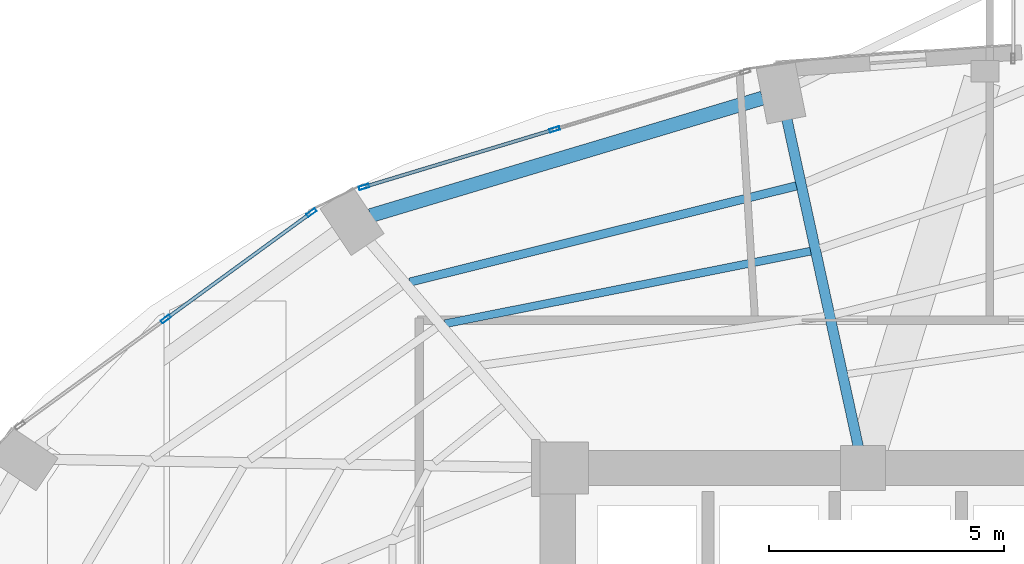
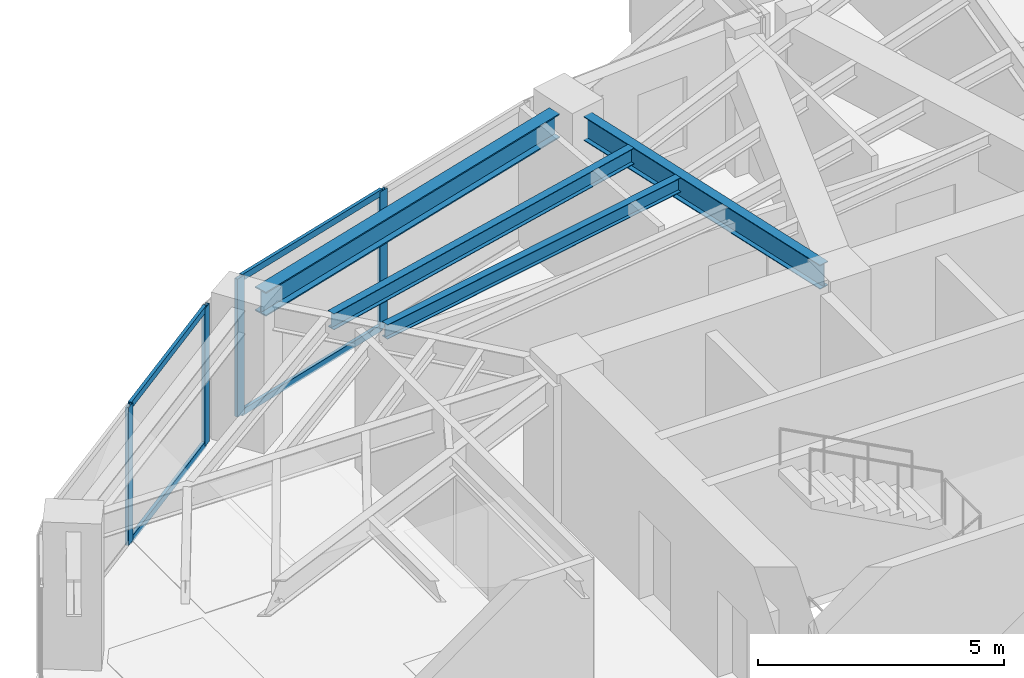
# One storey, part 14 of 24: 8 members, 4 beams, 2 elements without a shape of their own.
"""IFC4 building model written with IfcOpenShell, lengths in metres."""

import ifcopenshell
import ifcopenshell.guid

model = None  # the IFC model being written
_history = None  # IfcOwnerHistory: only IFC2X3 demands one
_inside = {}  # id of a spatial element -> (the spatial element, [elements in it])
_under = {}  # id of a project, library or spatial element -> (it, [spatial elements below it])
_declared = {}  # id of a project -> (the project, [libraries it declares])
_typed = {}  # id of a type object -> (the type object, [elements of that type])
_made_of = {}  # id of a material, layer set ... -> (it, [elements and type objects made of it])


def new_model(schema):
    """Start an empty IFC model of exactly this schema.

    Asked for "IFC4X3", IfcOpenShell would pick the latest addendum, in which some entities
    have other attributes; the version numbers below select the first issue.
    IFC2X3 requires an IfcOwnerHistory on every rooted entity: one is made here for all.
    """
    global model, _history
    if schema == "IFC4X3":
        model = ifcopenshell.file(schema_version=(4, 3, 0, 0))
    else:
        model = ifcopenshell.file(schema=schema)
    _inside.clear()
    _under.clear()
    _declared.clear()
    _typed.clear()
    _made_of.clear()
    _history = None
    if model.schema == "IFC2X3":
        org = make("IfcOrganization", Name="unknown")
        user = make(
            "IfcPersonAndOrganization",
            ThePerson=make("IfcPerson", FamilyName="unknown"),
            TheOrganization=org,
        )
        app = make(
            "IfcApplication",
            ApplicationDeveloper=org,
            Version="unknown",
            ApplicationFullName="unknown",
            ApplicationIdentifier="unknown",
        )
        _history = make(
            "IfcOwnerHistory",
            OwningUser=user,
            OwningApplication=app,
            ChangeAction="ADDED",
            CreationDate=0,
        )
    return model


def make(cls, **values):
    """One entity of the class cls with the attributes given. An attribute that is None is left unset."""
    return model.create_entity(
        cls, **{name: value for name, value in values.items() if value is not None}
    )


def rooted(cls, **values):
    """An entity with a GlobalId (a new one), such as an element, a storey or a relation."""
    return make(cls, GlobalId=ifcopenshell.guid.new(), OwnerHistory=_history, **values)


def si_unit(unit_type, name, prefix=None):
    """IfcSIUnit, for example si_unit("LENGTHUNIT", "METRE", prefix="MILLI")."""
    return make("IfcSIUnit", UnitType=unit_type, Prefix=prefix, Name=name)


def assignment(units):
    """IfcUnitAssignment: the units of a project."""
    return None if units is None else make("IfcUnitAssignment", Units=units)


def point(xyz):
    """IfcCartesianPoint."""
    return None if xyz is None else make("IfcCartesianPoint", Coordinates=xyz)


def direction(xyz):
    """IfcDirection."""
    return None if xyz is None else make("IfcDirection", DirectionRatios=xyz)


def frame(location, z_axis=None, x_axis=None):
    """IfcAxis2Placement3D, a coordinate frame: its origin and axes. An axis left out is left unset."""
    return make(
        "IfcAxis2Placement3D",
        Location=point(location),
        Axis=direction(z_axis),
        RefDirection=direction(x_axis),
    )


def frame_2d(location, x_axis=None):
    """IfcAxis2Placement2D, a coordinate frame in the plane: its origin and x axis."""
    return make(
        "IfcAxis2Placement2D", Location=point(location), RefDirection=direction(x_axis)
    )


def origin():
    """The frame at (0, 0, 0) with its axes left unset."""
    return frame((0.0, 0.0, 0.0))


def origin_2d():
    """The frame at (0, 0) in the plane with its x axis left unset."""
    return frame_2d((0.0, 0.0))


def place(relative_to, where):
    """IfcLocalPlacement: puts the frame where relative to a parent placement (None: the world)."""
    return make(
        "IfcLocalPlacement", PlacementRelTo=relative_to, RelativePlacement=where
    )


def context(
    kind, dimensions, precision=None, world=None, true_north=None, identifier=None
):
    """IfcGeometricRepresentationContext, for example the 3D "Model" context."""
    return make(
        "IfcGeometricRepresentationContext",
        ContextIdentifier=identifier,
        ContextType=kind,
        CoordinateSpaceDimension=dimensions,
        Precision=precision,
        WorldCoordinateSystem=world,
        TrueNorth=true_north,
    )


def subcontext(parent, identifier, kind, view, scale=None):
    """IfcGeometricRepresentationSubContext, for example "Body" below "Model"."""
    return make(
        "IfcGeometricRepresentationSubContext",
        ContextIdentifier=identifier,
        ContextType=kind,
        ParentContext=parent,
        TargetScale=scale,
        TargetView=view,
    )


def project(units=None, contexts=None):
    """IfcProject with its units and contexts."""
    return rooted(
        "IfcProject",
        Name="project",
        RepresentationContexts=contexts,
        UnitsInContext=assignment(units),
    )


def spatial(cls, under=None, at=None, **own):
    """A site, building, storey or space (cls), placed at a placement, below another one or the project."""
    s = rooted(cls, ObjectPlacement=at, **own)
    if under is not None:
        _under.setdefault(under.id(), (under, []))[1].append(s)
    return s


def profile(cls, at=None, kind="AREA", **sizes):
    """A parametric profile (cls). Its sizes go by their IFC names, for example OverallWidth=200.0."""
    return make(cls, ProfileType=kind, Position=at, **sizes)


def hollow_rectangle(**sizes):
    """IfcRectangleHollowProfileDef."""
    return profile("IfcRectangleHollowProfileDef", **sizes)


def i_section(**sizes):
    """IfcIShapeProfileDef."""
    return profile("IfcIShapeProfileDef", **sizes)


def extrude(swept, where, along, depth):
    """IfcExtrudedAreaSolid: the profile swept, set in the frame where, extruded along a direction by depth."""
    return make(
        "IfcExtrudedAreaSolid",
        SweptArea=swept,
        Position=where,
        ExtrudedDirection=direction(along),
        Depth=depth,
    )


def shape(context_of_items, identifier, shape_type, items):
    """IfcShapeRepresentation: the items that make up one representation, for example the "Body"."""
    return make(
        "IfcShapeRepresentation",
        ContextOfItems=context_of_items,
        RepresentationIdentifier=identifier,
        RepresentationType=shape_type,
        Items=items,
    )


def material(Name=None, Category=None):
    """IfcMaterial."""
    return make("IfcMaterial", Name=Name, Category=Category)


def layer(
    of_material, thickness, ventilated=None, Name=None, Category=None, Priority=None
):
    """IfcMaterialLayer: one layer of a wall or slab, of a material (None: an air gap)."""
    return make(
        "IfcMaterialLayer",
        Material=of_material,
        LayerThickness=thickness,
        IsVentilated=ventilated,
        Name=Name,
        Category=Category,
        Priority=Priority,
    )


def layer_set(layers, Name=None):
    """IfcMaterialLayerSet."""
    return make("IfcMaterialLayerSet", MaterialLayers=layers, LayerSetName=Name)


def material_profile(
    of_material, cross_section, Name=None, Category=None, Priority=None
):
    """IfcMaterialProfile: a cross section and its material."""
    return make(
        "IfcMaterialProfile",
        Name=Name,
        Material=of_material,
        Profile=cross_section,
        Priority=Priority,
        Category=Category,
    )


def profile_set(profiles, Name=None, composite=None):
    """IfcMaterialProfileSet."""
    return make(
        "IfcMaterialProfileSet",
        Name=Name,
        MaterialProfiles=profiles,
        CompositeProfile=composite,
    )


def made_of(thing, what):
    """Note that an element or type object is made of a material, layer set ...; save() writes the relation."""
    if what is not None:
        _made_of.setdefault(what.id(), (what, []))[1].append(thing)
    return thing


def type_object(cls, material=None, **own):
    """A type object (cls), such as IfcWallType, which elements share."""
    return made_of(rooted(cls, **own), material)


def element(
    cls,
    number,
    at=None,
    inside=None,
    cuts=None,
    type_object=None,
    material=None,
    context=None,
    identifier="Body",
    shape_type=None,
    held_by="IfcProductDefinitionShape",
    body=None,
    shapes=None,
    **own,
):
    """One element of the class cls, such as IfcWall. Its Tag is "e" and its number.

    at: its placement. inside: the storey or other place that contains it. cuts: it is an
    opening in that element (IfcRelVoidsElement). A single representation is given by context,
    identifier, shape_type and body (its items); several are given by shapes. held_by: the class
    of the entity that holds the representations. save() writes the other relations.
    """
    e = rooted(cls, Tag="e%d" % number, ObjectPlacement=at, **own)
    if body is not None:
        shapes = [shape(context, identifier, shape_type, body)]
    if shapes is not None:
        e.Representation = make(held_by, Representations=shapes)
    if inside is not None:
        _inside.setdefault(inside.id(), (inside, []))[1].append(e)
    if cuts is not None:
        rooted(
            "IfcRelVoidsElement", RelatingBuildingElement=cuts, RelatedOpeningElement=e
        )
    if type_object is not None:
        _typed.setdefault(type_object.id(), (type_object, []))[1].append(e)
    return made_of(e, material)


def aggregate(whole, parts):
    """IfcRelAggregates: a whole, such as a stair, and the parts it consists of."""
    return rooted("IfcRelAggregates", RelatingObject=whole, RelatedObjects=parts)


def save(model, path):
    """Write the relations noted so far, then the file.

    IfcRelAggregates (storeys below a building ...), IfcRelContainedInSpatialStructure (elements
    in a storey), IfcRelDefinesByType, IfcRelAssociatesMaterial and IfcRelDeclares: one each for
    every whole, place, type object, material and project.
    """
    for whole, parts in _under.values():
        aggregate(whole, parts)
    for where, things in _inside.values():
        rooted(
            "IfcRelContainedInSpatialStructure",
            RelatedElements=things,
            RelatingStructure=where,
        )
    for kind, things in _typed.values():
        rooted("IfcRelDefinesByType", RelatedObjects=things, RelatingType=kind)
    for what, things in _made_of.values():
        rooted("IfcRelAssociatesMaterial", RelatedObjects=things, RelatingMaterial=what)
    for by, libraries in _declared.values():
        rooted("IfcRelDeclares", RelatingContext=by, RelatedDefinitions=libraries)
    model.write(path)


model = new_model("IFC4")

# Units and contexts
model_context = context("Model", 3, precision=1e-05, world=origin(), true_north=direction((0.0, 1.0)))
body_context = subcontext(model_context, "Body", "Model", "MODEL_VIEW")
ifc_project = project(units=[si_unit("LENGTHUNIT", "METRE"), si_unit("AREAUNIT", "SQUARE_METRE"), si_unit("VOLUMEUNIT", "CUBIC_METRE"), si_unit("PLANEANGLEUNIT", "RADIAN"), si_unit("MASSUNIT", "GRAM", prefix="KILO")], contexts=[model_context])

# Site, building, storey
site_placement = place(None, origin())
site = spatial("IfcSite", under=ifc_project, at=site_placement, CompositionType="ELEMENT")
building_placement = place(site_placement, origin())
building = spatial("IfcBuilding", under=site, at=building_placement, Name="Lazwardi Medical Tower", CompositionType="ELEMENT")
storey_placement = place(building_placement, frame((0.0, 0.0, 103.632080078125)))
storey = spatial("IfcBuildingStorey", under=building, at=storey_placement, Name="L26", CompositionType="ELEMENT", Elevation=103.632080078125)

# Beams
ifc_material_1 = material(Name="Steel S355", Category="steel")
ifc_material_profile_1 = material_profile(ifc_material_1, i_section(OverallWidth=0.300048828125, OverallDepth=0.60009765625, WebThickness=0.015380859375, FlangeThickness=0.030029296875, at=origin_2d()), Name="HEB 600")
ifc_profile_set_1 = profile_set([ifc_material_profile_1], Name="Steel S355")
beam_type_1 = type_object("IfcBeamType", Name="BM-RB-Z2", PredefinedType="BEAM", material=ifc_profile_set_1)
beam_1_placement = place(storey_placement, frame((30.661865234375, 43.4794921875, 3.1279296875), z_axis=(-0.957879438442, -0.287170648587, 0.0), x_axis=(0.287170648587, -0.957879438442, 0.0)))
element("IfcBeam", 1, at=beam_1_placement, inside=storey, type_object=beam_type_1, Name="Ring beam RB-03 B09 L26", PredefinedType="BEAM", context=body_context, shape_type="SweptSolid", body=[
    extrude(i_section(OverallWidth=0.300048828125, OverallDepth=0.60009765625, WebThickness=0.015380859375, FlangeThickness=0.030029296875, at=origin_2d()), origin(), (0.0, 0.0, 1.0), 8.719970703125),
])
ifc_material_profile_2 = material_profile(ifc_material_1, i_section(OverallWidth=0.219970703125, OverallDepth=0.60009765625, WebThickness=0.011962890625, FlangeThickness=0.01904296875, at=origin_2d()), Name="IPE 600")
ifc_profile_set_2 = profile_set([ifc_material_profile_2], Name="Steel S355")
beam_type_2 = type_object("IfcBeamType", Name="BM-RG-W1", PredefinedType="BEAM", material=ifc_profile_set_2)
beam_2_placement = place(storey_placement, frame((31.17822265625, 43.03076171875, 3.1279296875), z_axis=(0.213228150441, -0.977002433907, 0.0), x_axis=(0.977002433907, 0.213228150441, 0.0)))
element("IfcBeam", 2, at=beam_2_placement, inside=storey, type_object=beam_type_2, Name="Radial girder RG-02 R09 L26", PredefinedType="BEAM", context=body_context, shape_type="SweptSolid", body=[
    extrude(i_section(OverallWidth=0.219970703125, OverallDepth=0.60009765625, WebThickness=0.011962890625, FlangeThickness=0.01904296875, at=origin_2d()), origin(), (0.0, 0.0, 1.0), 7.145751953125),
])
ifc_material_profile_3 = material_profile(ifc_material_1, i_section(OverallWidth=0.179931640625, OverallDepth=0.39990234375, WebThickness=0.008544921875, FlangeThickness=0.013427734375, at=origin_2d()), Name="IPE 400")
ifc_profile_set_3 = profile_set([ifc_material_profile_3], Name="Steel S355")
beam_type_3 = type_object("IfcBeamType", Name="BM-SJ-01", PredefinedType="JOIST", material=ifc_profile_set_3)
beam_3_placement = place(storey_placement, frame((31.381103515625, 41.609130859375, 3.22802734375), z_axis=(-0.970400881943, -0.241499748081, 0.0), x_axis=(0.241499748081, -0.970400881943, 0.0)))
element("IfcBeam", 3, at=beam_3_placement, inside=storey, type_object=beam_type_3, Name="Secondary joist SJ-01 R1 B09 L26", PredefinedType="JOIST", context=body_context, shape_type="SweptSolid", body=[
    extrude(i_section(OverallWidth=0.179931640625, OverallDepth=0.39990234375, WebThickness=0.008544921875, FlangeThickness=0.013427734375, at=origin_2d()), origin(), (0.0, 0.0, 1.0), 8.48583984375),
])
ifc_material_profile_4 = material_profile(ifc_material_1, i_section(OverallWidth=0.169921875, OverallDepth=0.360107421875, WebThickness=0.008056640625, FlangeThickness=0.0126953125, at=origin_2d()), Name="IPE 360")
ifc_profile_set_4 = profile_set([ifc_material_profile_4], Name="Steel S355")
beam_type_4 = type_object("IfcBeamType", Name="BM-SJ-02", PredefinedType="JOIST", material=ifc_profile_set_4)
beam_4_placement = place(storey_placement, frame((31.684814453125, 40.2177734375, 3.247802734375), z_axis=(-0.980878853282, -0.194619308352, 0.0), x_axis=(0.194619308352, -0.980878853282, 0.0)))
element("IfcBeam", 4, at=beam_4_placement, inside=storey, type_object=beam_type_4, Name="Secondary joist SJ-02 R2 B09 L26", PredefinedType="JOIST", context=body_context, shape_type="SweptSolid", body=[
    extrude(i_section(OverallWidth=0.169921875, OverallDepth=0.360107421875, WebThickness=0.008056640625, FlangeThickness=0.0126953125, at=origin_2d()), origin(), (0.0, 0.0, 1.0), 7.93701171875),
])

# Curtain wall, members
ifc_material_2 = material(Name="Anodised bronze aluminium and solar control glazing", Category="aluminium")
ifc_layer = layer(ifc_material_2, 0.195068359375)
ifc_layer_set = layer_set([ifc_layer], Name="Anodised bronze aluminium and solar control glazing")
curtain_wall_type = type_object("IfcCurtainWallType", Name="CW-SYS-03", PredefinedType="NOTDEFINED", material=ifc_layer_set)
curtain_wall_1_placement = place(storey_placement, origin())
curtain_wall_1 = element("IfcCurtainWall", 5, at=curtain_wall_1_placement, inside=storey, type_object=curtain_wall_type, Name="L26 Unitised bronze curtain wall CW-03", PredefinedType="NOTDEFINED")
ifc_material_3 = material(Name="Anodised bronze aluminium", Category="aluminium")
ifc_material_profile_5 = material_profile(ifc_material_3, hollow_rectangle(XDim=0.074951171875, YDim=0.219970703125, WallThickness=0.00390625, at=origin_2d()), Name="ALU-MULLION 220x75x4")
ifc_profile_set_5 = profile_set([ifc_material_profile_5], Name="Anodised bronze aluminium")
member_type_1 = type_object("IfcMemberType", Name="CW-MUL-01", PredefinedType="MULLION", material=ifc_profile_set_5)
member_1_placement = place(storey_placement, frame((26.230712890625, 42.81298828125, 0.0), z_axis=(0.0, 0.0, 1.0), x_axis=(0.28937381157, -0.957216170558, 0.0)))
member_1 = element("IfcMember", 6, at=member_1_placement, type_object=member_type_1, Name="CW-03 mullion 2", PredefinedType="MULLION", context=body_context, shape_type="SweptSolid", body=[
    extrude(hollow_rectangle(XDim=0.074951171875, YDim=0.219970703125, WallThickness=0.00390625, at=origin_2d()), origin(), (0.0, 0.0, 1.0), 3.427978515625),
])
member_2_placement = place(storey_placement, frame((22.171630859375, 41.5859375, 0.0), z_axis=(0.0, 0.0, 1.0), x_axis=(0.28937381157, -0.957216170558, 0.0)))
member_2 = element("IfcMember", 7, at=member_2_placement, type_object=member_type_1, Name="CW-03 mullion 3", PredefinedType="MULLION", context=body_context, shape_type="SweptSolid", body=[
    extrude(hollow_rectangle(XDim=0.074951171875, YDim=0.219970703125, WallThickness=0.00390625, at=origin_2d()), origin(), (0.0, 0.0, 1.0), 3.427978515625),
])

curtain_wall_2_placement = place(storey_placement, origin())
curtain_wall_2 = element("IfcCurtainWall", 8, at=curtain_wall_2_placement, inside=storey, type_object=curtain_wall_type, Name="L26 Unitised bronze curtain wall CW-03", PredefinedType="NOTDEFINED")
member_3_placement = place(storey_placement, frame((21.052734375, 41.03955078125, 0.0), z_axis=(0.0, 0.0, 1.0), x_axis=(0.589530882802, -0.807745837639, 0.0)))
member_3 = element("IfcMember", 9, at=member_3_placement, type_object=member_type_1, Name="CW-03 mullion 1", PredefinedType="MULLION", context=body_context, shape_type="SweptSolid", body=[
    extrude(hollow_rectangle(XDim=0.074951171875, YDim=0.219970703125, WallThickness=0.00390625, at=origin_2d()), origin(), (0.0, 0.0, 1.0), 3.427978515625),
])
member_4_placement = place(storey_placement, frame((17.948974609375, 38.774169921875, 0.0), z_axis=(0.0, 0.0, 1.0), x_axis=(0.589530882802, -0.807745837639, 0.0)))
member_4 = element("IfcMember", 10, at=member_4_placement, type_object=member_type_1, Name="CW-03 mullion 2", PredefinedType="MULLION", context=body_context, shape_type="SweptSolid", body=[
    extrude(hollow_rectangle(XDim=0.074951171875, YDim=0.219970703125, WallThickness=0.00390625, at=origin_2d()), origin(), (0.0, 0.0, 1.0), 3.427978515625),
])

# Member
ifc_material_profile_6 = material_profile(ifc_material_3, hollow_rectangle(XDim=0.074951171875, YDim=0.159912109375, WallThickness=0.00390625, at=origin_2d()), Name="ALU-TRANSOM 160x75x4")
ifc_profile_set_6 = profile_set([ifc_material_profile_6], Name="Anodised bronze aluminium")
member_type_2 = type_object("IfcMemberType", Name="CW-TRN-01", PredefinedType="USERDEFINED", material=ifc_profile_set_6)
member_5_placement = place(storey_placement, frame((26.19482421875, 42.80224609375, 0.037353515625), z_axis=(-0.957220865985, -0.289358279168, 0.0), x_axis=(0.289358279168, -0.957220865985, 0.0)))
member_5 = element("IfcMember", 11, at=member_5_placement, type_object=member_type_2, Name="CW-03 transom 2.1", ObjectType="TRANSOM", PredefinedType="USERDEFINED", context=body_context, shape_type="SweptSolid", body=[
    extrude(hollow_rectangle(XDim=0.074951171875, YDim=0.159912109375, WallThickness=0.00390625, at=origin_2d()), origin(), (0.0, 0.0, 1.0), 4.16552734375),
])

member_6_placement = place(storey_placement, frame((26.19482421875, 42.80224609375, 3.390380859375), z_axis=(-0.957220865985, -0.289358279168, 0.0), x_axis=(0.289358279168, -0.957220865985, 0.0)))
member_6 = element("IfcMember", 12, at=member_6_placement, type_object=member_type_2, Name="CW-03 transom 2.2", ObjectType="TRANSOM", PredefinedType="USERDEFINED", context=body_context, shape_type="SweptSolid", body=[
    extrude(hollow_rectangle(XDim=0.074951171875, YDim=0.159912109375, WallThickness=0.00390625, at=origin_2d()), origin(), (0.0, 0.0, 1.0), 4.16552734375),
])

aggregate(curtain_wall_1, [member_1, member_2, member_5, member_6])

member_7_placement = place(storey_placement, frame((21.0224609375, 41.017578125, 0.037353515625), z_axis=(-0.807731734271, -0.589550206049, 0.0), x_axis=(0.589550206049, -0.807731734271, 0.0)))
member_7 = element("IfcMember", 13, at=member_7_placement, type_object=member_type_2, Name="CW-03 transom 1.1", ObjectType="TRANSOM", PredefinedType="USERDEFINED", context=body_context, shape_type="SweptSolid", body=[
    extrude(hollow_rectangle(XDim=0.074951171875, YDim=0.159912109375, WallThickness=0.00390625, at=origin_2d()), origin(), (0.0, 0.0, 1.0), 3.767578125),
])

member_8_placement = place(storey_placement, frame((21.0224609375, 41.017578125, 3.390380859375), z_axis=(-0.807731734271, -0.589550206049, 0.0), x_axis=(0.589550206049, -0.807731734271, 0.0)))
member_8 = element("IfcMember", 14, at=member_8_placement, type_object=member_type_2, Name="CW-03 transom 1.2", ObjectType="TRANSOM", PredefinedType="USERDEFINED", context=body_context, shape_type="SweptSolid", body=[
    extrude(hollow_rectangle(XDim=0.074951171875, YDim=0.159912109375, WallThickness=0.00390625, at=origin_2d()), origin(), (0.0, 0.0, 1.0), 3.767578125),
])

aggregate(curtain_wall_2, [member_3, member_4, member_7, member_8])

save(model, "model.ifc")
